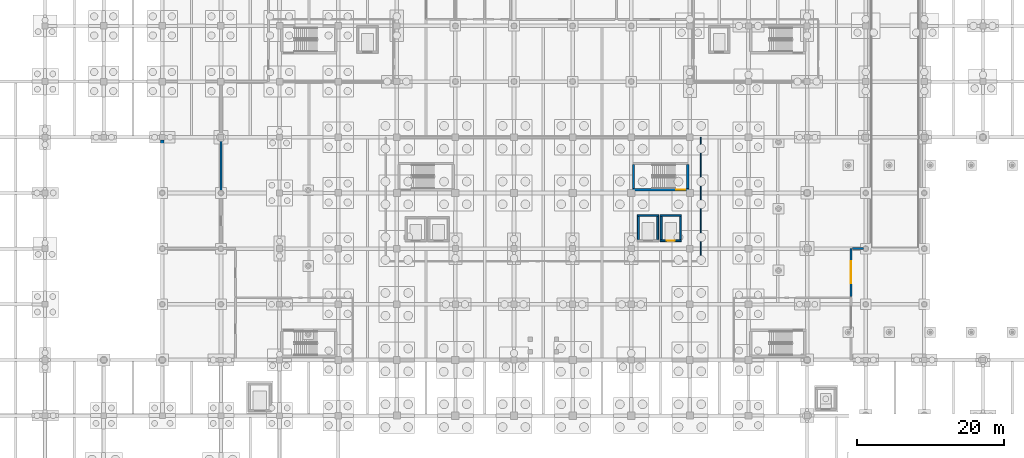
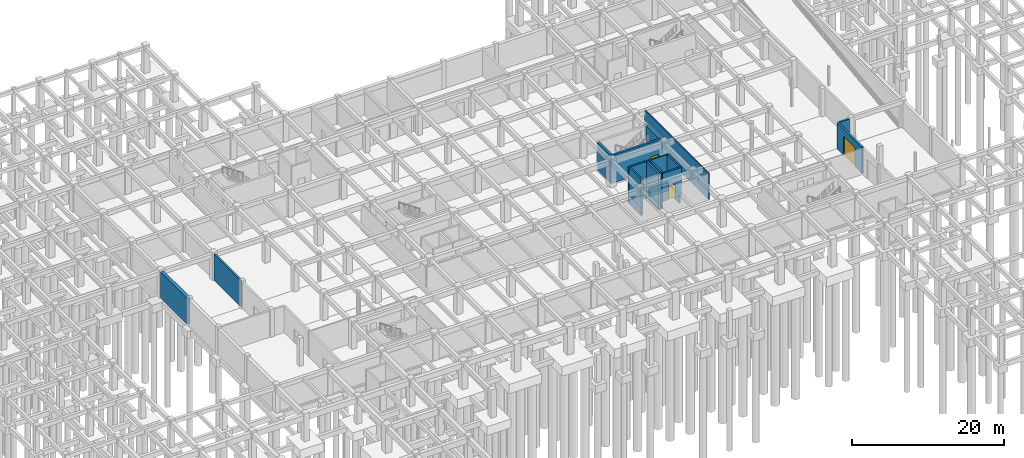
# One storey, part 36 of 49: 21 walls, 3 doors, 3 openings.
"""IFC4 building model written with IfcOpenShell, lengths in metres."""

import ifcopenshell
import ifcopenshell.guid

model = None  # the IFC model being written
_history = None  # IfcOwnerHistory: only IFC2X3 demands one
_inside = {}  # id of a spatial element -> (the spatial element, [elements in it])
_under = {}  # id of a project, library or spatial element -> (it, [spatial elements below it])
_declared = {}  # id of a project -> (the project, [libraries it declares])
_typed = {}  # id of a type object -> (the type object, [elements of that type])
_made_of = {}  # id of a material, layer set ... -> (it, [elements and type objects made of it])


def new_model(schema):
    """Start an empty IFC model of exactly this schema.

    Asked for "IFC4X3", IfcOpenShell would pick the latest addendum, in which some entities
    have other attributes; the version numbers below select the first issue.
    IFC2X3 requires an IfcOwnerHistory on every rooted entity: one is made here for all.
    """
    global model, _history
    if schema == "IFC4X3":
        model = ifcopenshell.file(schema_version=(4, 3, 0, 0))
    else:
        model = ifcopenshell.file(schema=schema)
    _inside.clear()
    _under.clear()
    _declared.clear()
    _typed.clear()
    _made_of.clear()
    _history = None
    if model.schema == "IFC2X3":
        org = make("IfcOrganization", Name="unknown")
        user = make(
            "IfcPersonAndOrganization",
            ThePerson=make("IfcPerson", FamilyName="unknown"),
            TheOrganization=org,
        )
        app = make(
            "IfcApplication",
            ApplicationDeveloper=org,
            Version="unknown",
            ApplicationFullName="unknown",
            ApplicationIdentifier="unknown",
        )
        _history = make(
            "IfcOwnerHistory",
            OwningUser=user,
            OwningApplication=app,
            ChangeAction="ADDED",
            CreationDate=0,
        )
    return model


def make(cls, **values):
    """One entity of the class cls with the attributes given. An attribute that is None is left unset."""
    return model.create_entity(
        cls, **{name: value for name, value in values.items() if value is not None}
    )


def rooted(cls, **values):
    """An entity with a GlobalId (a new one), such as an element, a storey or a relation."""
    return make(cls, GlobalId=ifcopenshell.guid.new(), OwnerHistory=_history, **values)


def si_unit(unit_type, name, prefix=None):
    """IfcSIUnit, for example si_unit("LENGTHUNIT", "METRE", prefix="MILLI")."""
    return make("IfcSIUnit", UnitType=unit_type, Prefix=prefix, Name=name)


def assignment(units):
    """IfcUnitAssignment: the units of a project."""
    return None if units is None else make("IfcUnitAssignment", Units=units)


def point(xyz):
    """IfcCartesianPoint."""
    return None if xyz is None else make("IfcCartesianPoint", Coordinates=xyz)


def direction(xyz):
    """IfcDirection."""
    return None if xyz is None else make("IfcDirection", DirectionRatios=xyz)


def frame(location, z_axis=None, x_axis=None):
    """IfcAxis2Placement3D, a coordinate frame: its origin and axes. An axis left out is left unset."""
    return make(
        "IfcAxis2Placement3D",
        Location=point(location),
        Axis=direction(z_axis),
        RefDirection=direction(x_axis),
    )


def frame_2d(location, x_axis=None):
    """IfcAxis2Placement2D, a coordinate frame in the plane: its origin and x axis."""
    return make(
        "IfcAxis2Placement2D", Location=point(location), RefDirection=direction(x_axis)
    )


def origin():
    """The frame at (0, 0, 0) with its axes left unset."""
    return frame((0.0, 0.0, 0.0))


def place(relative_to, where):
    """IfcLocalPlacement: puts the frame where relative to a parent placement (None: the world)."""
    return make(
        "IfcLocalPlacement", PlacementRelTo=relative_to, RelativePlacement=where
    )


def context(
    kind, dimensions, precision=None, world=None, true_north=None, identifier=None
):
    """IfcGeometricRepresentationContext, for example the 3D "Model" context."""
    return make(
        "IfcGeometricRepresentationContext",
        ContextIdentifier=identifier,
        ContextType=kind,
        CoordinateSpaceDimension=dimensions,
        Precision=precision,
        WorldCoordinateSystem=world,
        TrueNorth=true_north,
    )


def subcontext(parent, identifier, kind, view, scale=None):
    """IfcGeometricRepresentationSubContext, for example "Body" below "Model"."""
    return make(
        "IfcGeometricRepresentationSubContext",
        ContextIdentifier=identifier,
        ContextType=kind,
        ParentContext=parent,
        TargetScale=scale,
        TargetView=view,
    )


def project(units=None, contexts=None):
    """IfcProject with its units and contexts."""
    return rooted(
        "IfcProject",
        Name="project",
        RepresentationContexts=contexts,
        UnitsInContext=assignment(units),
    )


def spatial(cls, under=None, at=None, **own):
    """A site, building, storey or space (cls), placed at a placement, below another one or the project."""
    s = rooted(cls, ObjectPlacement=at, **own)
    if under is not None:
        _under.setdefault(under.id(), (under, []))[1].append(s)
    return s


def profile(cls, at=None, kind="AREA", **sizes):
    """A parametric profile (cls). Its sizes go by their IFC names, for example OverallWidth=200.0."""
    return make(cls, ProfileType=kind, Position=at, **sizes)


def rectangle(**sizes):
    """IfcRectangleProfileDef."""
    return profile("IfcRectangleProfileDef", **sizes)


def extrude(swept, where, along, depth):
    """IfcExtrudedAreaSolid: the profile swept, set in the frame where, extruded along a direction by depth."""
    return make(
        "IfcExtrudedAreaSolid",
        SweptArea=swept,
        Position=where,
        ExtrudedDirection=direction(along),
        Depth=depth,
    )


def shape(context_of_items, identifier, shape_type, items):
    """IfcShapeRepresentation: the items that make up one representation, for example the "Body"."""
    return make(
        "IfcShapeRepresentation",
        ContextOfItems=context_of_items,
        RepresentationIdentifier=identifier,
        RepresentationType=shape_type,
        Items=items,
    )


def material(Name=None, Category=None):
    """IfcMaterial."""
    return make("IfcMaterial", Name=Name, Category=Category)


def layer(
    of_material, thickness, ventilated=None, Name=None, Category=None, Priority=None
):
    """IfcMaterialLayer: one layer of a wall or slab, of a material (None: an air gap)."""
    return make(
        "IfcMaterialLayer",
        Material=of_material,
        LayerThickness=thickness,
        IsVentilated=ventilated,
        Name=Name,
        Category=Category,
        Priority=Priority,
    )


def layer_set(layers, Name=None):
    """IfcMaterialLayerSet."""
    return make("IfcMaterialLayerSet", MaterialLayers=layers, LayerSetName=Name)


def made_of(thing, what):
    """Note that an element or type object is made of a material, layer set ...; save() writes the relation."""
    if what is not None:
        _made_of.setdefault(what.id(), (what, []))[1].append(thing)
    return thing


def type_object(cls, material=None, **own):
    """A type object (cls), such as IfcWallType, which elements share."""
    return made_of(rooted(cls, **own), material)


def element(
    cls,
    number,
    at=None,
    inside=None,
    cuts=None,
    type_object=None,
    material=None,
    context=None,
    identifier="Body",
    shape_type=None,
    held_by="IfcProductDefinitionShape",
    body=None,
    shapes=None,
    **own,
):
    """One element of the class cls, such as IfcWall. Its Tag is "e" and its number.

    at: its placement. inside: the storey or other place that contains it. cuts: it is an
    opening in that element (IfcRelVoidsElement). A single representation is given by context,
    identifier, shape_type and body (its items); several are given by shapes. held_by: the class
    of the entity that holds the representations. save() writes the other relations.
    """
    e = rooted(cls, Tag="e%d" % number, ObjectPlacement=at, **own)
    if body is not None:
        shapes = [shape(context, identifier, shape_type, body)]
    if shapes is not None:
        e.Representation = make(held_by, Representations=shapes)
    if inside is not None:
        _inside.setdefault(inside.id(), (inside, []))[1].append(e)
    if cuts is not None:
        rooted(
            "IfcRelVoidsElement", RelatingBuildingElement=cuts, RelatedOpeningElement=e
        )
    if type_object is not None:
        _typed.setdefault(type_object.id(), (type_object, []))[1].append(e)
    return made_of(e, material)


def fill(opening, filler):
    """IfcRelFillsElement: the door or window that sits in an opening."""
    return rooted(
        "IfcRelFillsElement",
        RelatingOpeningElement=opening,
        RelatedBuildingElement=filler,
    )


def aggregate(whole, parts):
    """IfcRelAggregates: a whole, such as a stair, and the parts it consists of."""
    return rooted("IfcRelAggregates", RelatingObject=whole, RelatedObjects=parts)


def save(model, path):
    """Write the relations noted so far, then the file.

    IfcRelAggregates (storeys below a building ...), IfcRelContainedInSpatialStructure (elements
    in a storey), IfcRelDefinesByType, IfcRelAssociatesMaterial and IfcRelDeclares: one each for
    every whole, place, type object, material and project.
    """
    for whole, parts in _under.values():
        aggregate(whole, parts)
    for where, things in _inside.values():
        rooted(
            "IfcRelContainedInSpatialStructure",
            RelatedElements=things,
            RelatingStructure=where,
        )
    for kind, things in _typed.values():
        rooted("IfcRelDefinesByType", RelatedObjects=things, RelatingType=kind)
    for what, things in _made_of.values():
        rooted("IfcRelAssociatesMaterial", RelatedObjects=things, RelatingMaterial=what)
    for by, libraries in _declared.values():
        rooted("IfcRelDeclares", RelatingContext=by, RelatedDefinitions=libraries)
    model.write(path)


model = new_model("IFC4")

# Units and contexts
model_context = context("Model", 3, precision=1e-05, world=origin(), true_north=direction((0.0, 1.0)))
body_context = subcontext(model_context, "Body", "Model", "MODEL_VIEW")
ifc_project = project(units=[si_unit("LENGTHUNIT", "METRE"), si_unit("AREAUNIT", "SQUARE_METRE"), si_unit("VOLUMEUNIT", "CUBIC_METRE"), si_unit("PLANEANGLEUNIT", "RADIAN"), si_unit("MASSUNIT", "GRAM", prefix="KILO")], contexts=[model_context])

# Site, building, storey
site_placement = place(None, origin())
site = spatial("IfcSite", under=ifc_project, at=site_placement, CompositionType="ELEMENT")
building_placement = place(site_placement, origin())
building = spatial("IfcBuilding", under=site, at=building_placement, Name="Zantavel Square City Hall", CompositionType="ELEMENT")
storey_placement = place(building_placement, frame((0.0, 0.0, -4.5)))
storey = spatial("IfcBuildingStorey", under=building, at=storey_placement, Name="B1", CompositionType="ELEMENT", Elevation=-4.5)

# Wall
ifc_material_1 = material(Name="Concrete C35/45", Category="concrete")
ifc_layer_1 = layer(ifc_material_1, 0.280029296875, Name="Concrete C35/45")
ifc_layer_set_1 = layer_set([ifc_layer_1], Name="Concrete C35/45")
wall_type_1 = type_object("IfcWallType", Name="Archive & Substation Vault Wall 280mm", PredefinedType="STANDARD", material=ifc_layer_set_1)
wall_1_placement = place(storey_placement, frame((40.0, 68.014892578125, 0.0), z_axis=(0.0, 0.0, 1.0), x_axis=(0.0, -1.0, 0.0)))
element("IfcWall", 1, at=wall_1_placement, inside=storey, type_object=wall_type_1, Name="B1 Interior Wall IW-B1-0014", PredefinedType="STANDARD", context=body_context, shape_type="SweptSolid", body=[
    extrude(rectangle(XDim=6.90478515625, YDim=0.280029296875, at=frame_2d((3.452392578125, 0.0))), origin(), (0.0, 0.0, 1.0), 4.199951171875),
])

# Wall, opening, door
wall_2_placement = place(storey_placement, frame((126.0, 46.68994140625, 0.0), z_axis=(0.0, 0.0, 1.0), x_axis=(0.0, 1.0, 0.0)))
wall_2 = element("IfcWall", 2, at=wall_2_placement, inside=storey, type_object=wall_type_1, Name="B1 Interior Wall IW-B1-0024", PredefinedType="STANDARD", context=body_context, shape_type="SweptSolid", body=[
    extrude(rectangle(XDim=6.510009765625, YDim=0.280029296875, at=frame_2d((3.2548828125, 0.0))), origin(), (0.0, 0.0, 1.0), 4.199951171875),
])
opening_1_placement = place(wall_2_placement, frame((1.7548828125, 0.0, 0.0)))
opening_1 = element("IfcOpeningElement", 3, at=opening_1_placement, cuts=wall_2, Name="Opening D-0012", PredefinedType="OPENING", context=body_context, shape_type="SweptSolid", body=[
    extrude(rectangle(XDim=3.0, YDim=3.10009765625, at=frame_2d((1.5, 1.550048828125))), frame((0.0, 0.14990234375, 0.0), z_axis=(0.0, -1.0, 0.0), x_axis=(1.0, 0.0, 0.0)), (0.0, 0.0, 1.0), 0.300048828125),
])
ifc_material_2 = material(Name="Steel ASTM A500 Grade B", Category="steel")
door_type_1 = type_object("IfcDoorType", Name="Plant Equipment Roller Gate 3000x3100", OperationType="NOTDEFINED", PredefinedType="GATE", material=ifc_material_2)
door_1_placement = place(opening_1_placement, origin())
door_1 = element("IfcDoor", 4, at=door_1_placement, inside=storey, type_object=door_type_1, Name="B1 Municipal Maintenance Workshop and Store Door", OperationType="ROLLINGUP", OverallHeight=3.10009765625, OverallWidth=3.0, PredefinedType="GATE", context=body_context, shape_type="SweptSolid", body=[
    extrude(rectangle(XDim=3.0, YDim=3.10009765625, at=frame_2d((1.5, 1.550048828125))), frame((0.0, 0.02490234375, 0.0), z_axis=(0.0, -1.0, 0.0), x_axis=(1.0, 0.0, 0.0)), (0.0, 0.0, 1.0), 0.050048828125),
])
fill(opening_1, door_1)

# Walls
wall_3_placement = place(storey_placement, frame((126.18994140625, 53.199951171875, 0.0), z_axis=(0.0, 0.0, 1.0), x_axis=(1.0, 0.0, 0.0)))
element("IfcWall", 5, at=wall_3_placement, inside=storey, type_object=wall_type_1, Name="B1 Interior Wall IW-B1-0025", PredefinedType="STANDARD", context=body_context, shape_type="SweptSolid", body=[
    extrude(rectangle(XDim=1.5, YDim=0.280029296875, at=frame_2d((0.75, 0.0))), origin(), (0.0, 0.0, 1.0), 4.199951171875),
])
ifc_material_3 = material(Name="Concrete C40/50", Category="concrete")
ifc_layer_2 = layer(ifc_material_3, 0.47998046875, Name="Concrete C40/50")
ifc_layer_set_2 = layer_set([ifc_layer_2], Name="Concrete C40/50")
wall_type_2 = type_object("IfcWallType", Name="Basement Retaining Wall RC 480mm C40/50", PredefinedType="SHEAR", material=ifc_layer_set_2)
wall_4_placement = place(storey_placement, frame((32.0, 61.10009765625, 0.0), z_axis=(0.0, 0.0, 1.0), x_axis=(0.0, 1.0, 0.0)))
element("IfcWall", 6, at=wall_4_placement, inside=storey, type_object=wall_type_2, Name="B1 Exterior Wall EW-B1-039", PredefinedType="SHEAR", context=body_context, shape_type="SweptSolid", body=[
    extrude(rectangle(XDim=6.9248046875, YDim=0.47998046875, at=frame_2d((3.46240234375, 0.0))), origin(), (0.0, 0.0, 1.0), 4.199951171875),
])

# Wall, opening, door
ifc_layer_3 = layer(ifc_material_3, 0.320068359375, Name="Concrete C40/50")
ifc_layer_set_3 = layer_set([ifc_layer_3], Name="Concrete C40/50")
wall_type_3 = type_object("IfcWallType", Name="Core Shear Wall RC 320mm C40/50", PredefinedType="SHEAR", material=ifc_layer_set_3)
wall_5_placement = place(storey_placement, frame((103.85009765625, 61.239990234375, 0.0), z_axis=(0.0, 0.0, 1.0), x_axis=(-1.0, 0.0, 0.0)))
wall_5 = element("IfcWall", 7, at=wall_5_placement, inside=storey, type_object=wall_type_3, Name="B1 Exit Stair 6 Central East Core Shear Wall South", PredefinedType="SHEAR", context=body_context, shape_type="SweptSolid", body=[
    extrude(rectangle(XDim=7.7001953125, YDim=0.320068359375, at=frame_2d((3.85009765625, 0.0))), origin(), (0.0, 0.0, 1.0), 4.5),
])
opening_2_placement = place(wall_5_placement, frame((0.5, 0.0, 0.0)))
opening_2 = element("IfcOpeningElement", 8, at=opening_2_placement, cuts=wall_5, Name="Opening SD-026", PredefinedType="OPENING", context=body_context, shape_type="SweptSolid", body=[
    extrude(rectangle(XDim=1.199951171875, YDim=2.199951171875, at=frame_2d((0.60009765625, 1.10009765625))), frame((0.0, 0.169921875, 0.0), z_axis=(0.0, -1.0, 0.0), x_axis=(1.0, 0.0, 0.0)), (0.0, 0.0, 1.0), 0.340087890625),
])
door_type_2 = type_object("IfcDoorType", Name="Enclosed Exit Stairwell Fire Door 1200x2200 FD90S", OperationType="NOTDEFINED", PredefinedType="DOOR", material=ifc_material_2)
door_2_placement = place(opening_2_placement, origin())
door_2 = element("IfcDoor", 9, at=door_2_placement, inside=storey, type_object=door_type_2, Name="B1 Exit Stair 6 Central East Core Fire Door", OperationType="SINGLE_SWING_RIGHT", OverallHeight=2.199951171875, OverallWidth=1.199951171875, PredefinedType="DOOR", context=body_context, shape_type="SweptSolid", body=[
    extrude(rectangle(XDim=1.199951171875, YDim=2.199951171875, at=frame_2d((0.60009765625, 1.10009765625))), frame((0.0, 0.02490234375, 0.0), z_axis=(0.0, -1.0, 0.0), x_axis=(1.0, 0.0, 0.0)), (0.0, 0.0, 1.0), 0.050048828125),
])
fill(opening_2, door_2)

# Walls
for number, where, z_axis, x_axis, name in (
    (10, (96.31005859375, 61.39990234375, 0.0), (0.0, 0.0, 1.0), (0.0, 1.0, 0.0), "B1 Exit Stair 6 Central East Core Shear Wall West"),
    (11, (103.68994140625, 64.669921875, 0.0), (0.0, 0.0, 1.0), (0.0, -1.0, 0.0), "B1 Exit Stair 6 Central East Core Shear Wall East"),
):
    element("IfcWall", number, at=place(storey_placement, frame(where, z_axis=z_axis, x_axis=x_axis)), inside=storey, type_object=wall_type_3, Name=name, PredefinedType="SHEAR", context=body_context, shape_type="SweptSolid", body=[
        extrude(rectangle(XDim=3.27001953125, YDim=0.320068359375, at=frame_2d((1.635009765625, 0.0))), origin(), (0.0, 0.0, 1.0), 4.5),
    ])
ifc_material_4 = material(Name="Gypsum acoustic stud assembly", Category="masonry")
ifc_layer_4 = layer(ifc_material_4, 0.14990234375, Name="Gypsum acoustic stud assembly")
ifc_layer_set_4 = layer_set([ifc_layer_4], Name="Gypsum acoustic stud assembly")
wall_type_4 = type_object("IfcWallType", Name="Department Office Partition 150mm", PredefinedType="PARTITIONING", material=ifc_layer_set_4)
wall_6_placement = place(storey_placement, frame((105.5, 68.39990234375, 0.0), z_axis=(0.0, 0.0, 1.0), x_axis=(0.0, -1.0, 0.0)))
element("IfcWall", 12, at=wall_6_placement, inside=storey, type_object=wall_type_4, Name="B1 Interior Wall IW-B1-0036", PredefinedType="PARTITIONING", context=body_context, shape_type="SweptSolid", body=[
    extrude(rectangle(XDim=16.89990234375, YDim=0.14990234375, at=frame_2d((8.449951171875, 0.0))), origin(), (0.0, 0.0, 1.0), 4.199951171875),
])
ifc_layer_5 = layer(ifc_material_3, 0.25, Name="Concrete C40/50")
ifc_layer_set_5 = layer_set([ifc_layer_5], Name="Concrete C40/50")
wall_type_5 = type_object("IfcWallType", Name="Lift Shaft Wall RC 250mm C40/50", PredefinedType="SHEAR", material=ifc_layer_set_5)
wall_7_placement = place(storey_placement, frame((96.97509765625, 54.39990234375, -1.35009765625), z_axis=(0.0, 0.0, 1.0), x_axis=(0.0, 1.0, 0.0)))
element("IfcWall", 13, at=wall_7_placement, inside=storey, type_object=wall_type_5, Name="Lift LF03 Pit Wall W", PredefinedType="SHEAR", context=body_context, shape_type="SweptSolid", body=[
    extrude(rectangle(XDim=3.2001953125, YDim=0.25, at=frame_2d((1.60009765625, 0.0))), origin(), (0.0, 0.0, 1.0), 1.35009765625),
])
wall_8_placement = place(storey_placement, frame((96.85009765625, 57.72509765625, -1.35009765625), z_axis=(0.0, 0.0, 1.0), x_axis=(1.0, 0.0, 0.0)))
element("IfcWall", 14, at=wall_8_placement, inside=storey, type_object=wall_type_5, Name="Lift LF03 Pit Wall N", PredefinedType="SHEAR", context=body_context, shape_type="SweptSolid", body=[
    extrude(rectangle(XDim=2.89990234375, YDim=0.25, at=frame_2d((1.449951171875, 0.0))), origin(), (0.0, 0.0, 1.0), 1.35009765625),
])
wall_9_placement = place(storey_placement, frame((99.625, 57.60009765625, -1.35009765625), z_axis=(0.0, 0.0, 1.0), x_axis=(0.0, -1.0, 0.0)))
element("IfcWall", 15, at=wall_9_placement, inside=storey, type_object=wall_type_5, Name="Lift LF03 Pit Wall E", PredefinedType="SHEAR", context=body_context, shape_type="SweptSolid", body=[
    extrude(rectangle(XDim=3.2001953125, YDim=0.25, at=frame_2d((1.60009765625, 0.0))), origin(), (0.0, 0.0, 1.0), 1.35009765625),
])
wall_10_placement = place(storey_placement, frame((96.97509765625, 54.39990234375, 0.0), z_axis=(0.0, 0.0, 1.0), x_axis=(0.0, 1.0, 0.0)))
element("IfcWall", 16, at=wall_10_placement, inside=storey, type_object=wall_type_5, Name="B1 Lift LF03 Shaft Wall West", PredefinedType="SHEAR", context=body_context, shape_type="SweptSolid", body=[
    extrude(rectangle(XDim=3.2001953125, YDim=0.25, at=frame_2d((1.60009765625, 0.0))), origin(), (0.0, 0.0, 1.0), 4.5),
])
wall_11_placement = place(storey_placement, frame((96.85009765625, 57.72509765625, 0.0), z_axis=(0.0, 0.0, 1.0), x_axis=(1.0, 0.0, 0.0)))
element("IfcWall", 17, at=wall_11_placement, inside=storey, type_object=wall_type_5, Name="B1 Lift LF03 Shaft Wall North", PredefinedType="SHEAR", context=body_context, shape_type="SweptSolid", body=[
    extrude(rectangle(XDim=2.89990234375, YDim=0.25, at=frame_2d((1.449951171875, 0.0))), origin(), (0.0, 0.0, 1.0), 4.5),
])
wall_12_placement = place(storey_placement, frame((99.625, 57.60009765625, 0.0), z_axis=(0.0, 0.0, 1.0), x_axis=(0.0, -1.0, 0.0)))
element("IfcWall", 18, at=wall_12_placement, inside=storey, type_object=wall_type_5, Name="B1 Lift LF03 Shaft Wall East", PredefinedType="SHEAR", context=body_context, shape_type="SweptSolid", body=[
    extrude(rectangle(XDim=3.2001953125, YDim=0.25, at=frame_2d((1.60009765625, 0.0))), origin(), (0.0, 0.0, 1.0), 4.5),
])
wall_13_placement = place(storey_placement, frame((100.074951171875, 54.39990234375, -1.35009765625), z_axis=(0.0, 0.0, 1.0), x_axis=(0.0, 1.0, 0.0)))
element("IfcWall", 19, at=wall_13_placement, inside=storey, type_object=wall_type_5, Name="Lift LF04 Pit Wall W", PredefinedType="SHEAR", context=body_context, shape_type="SweptSolid", body=[
    extrude(rectangle(XDim=3.2001953125, YDim=0.25, at=frame_2d((1.60009765625, 0.0))), origin(), (0.0, 0.0, 1.0), 1.35009765625),
])
wall_14_placement = place(storey_placement, frame((99.949951171875, 57.72509765625, -1.35009765625), z_axis=(0.0, 0.0, 1.0), x_axis=(1.0, 0.0, 0.0)))
element("IfcWall", 20, at=wall_14_placement, inside=storey, type_object=wall_type_5, Name="Lift LF04 Pit Wall N", PredefinedType="SHEAR", context=body_context, shape_type="SweptSolid", body=[
    extrude(rectangle(XDim=2.900146484375, YDim=0.25, at=frame_2d((1.4501953125, 0.0))), origin(), (0.0, 0.0, 1.0), 1.35009765625),
])
wall_15_placement = place(storey_placement, frame((102.72509765625, 57.60009765625, -1.35009765625), z_axis=(0.0, 0.0, 1.0), x_axis=(0.0, -1.0, 0.0)))
element("IfcWall", 21, at=wall_15_placement, inside=storey, type_object=wall_type_5, Name="Lift LF04 Pit Wall E", PredefinedType="SHEAR", context=body_context, shape_type="SweptSolid", body=[
    extrude(rectangle(XDim=3.2001953125, YDim=0.25, at=frame_2d((1.60009765625, 0.0))), origin(), (0.0, 0.0, 1.0), 1.35009765625),
])

# Wall, opening, door
wall_16_placement = place(storey_placement, frame((102.85009765625, 54.27490234375, 0.0), z_axis=(0.0, 0.0, 1.0), x_axis=(-1.0, 0.0, 0.0)))
wall_16 = element("IfcWall", 22, at=wall_16_placement, inside=storey, type_object=wall_type_5, Name="B1 Lift LF04 Shaft Wall South", PredefinedType="SHEAR", context=body_context, shape_type="SweptSolid", body=[
    extrude(rectangle(XDim=2.900146484375, YDim=0.25, at=frame_2d((1.4501953125, 0.0))), origin(), (0.0, 0.0, 1.0), 4.5),
])
opening_3_placement = place(wall_16_placement, frame((0.89990234375, 0.0, 0.0)))
opening_3 = element("IfcOpeningElement", 23, at=opening_3_placement, cuts=wall_16, Name="Opening LD-LF04-B1", PredefinedType="OPENING", context=body_context, shape_type="SweptSolid", body=[
    extrude(rectangle(XDim=1.10009765625, YDim=2.14990234375, at=frame_2d((0.550048828125, 1.074951171875))), frame((0.0, 0.135009765625, 0.0), z_axis=(0.0, -1.0, 0.0), x_axis=(1.0, 0.0, 0.0)), (0.0, 0.0, 1.0), 0.27001953125),
])
ifc_material_5 = material(Name="Stainless steel 316", Category="steel")
door_type_3 = type_object("IfcDoorType", Name="Lift Landing Sliding Door 1100x2150 FD90S", OperationType="NOTDEFINED", PredefinedType="DOOR", material=ifc_material_5)
door_3_placement = place(opening_3_placement, origin())
door_3 = element("IfcDoor", 24, at=door_3_placement, inside=storey, type_object=door_type_3, Name="B1 Lift LF04 Sliding Landing Door", OperationType="DOUBLE_DOOR_SLIDING", OverallHeight=2.14990234375, OverallWidth=1.10009765625, PredefinedType="DOOR", context=body_context, shape_type="SweptSolid", body=[
    extrude(rectangle(XDim=1.10009765625, YDim=2.14990234375, at=frame_2d((0.550048828125, 1.074951171875))), frame((0.0, 0.02490234375, 0.0), z_axis=(0.0, -1.0, 0.0), x_axis=(1.0, 0.0, 0.0)), (0.0, 0.0, 1.0), 0.050048828125),
])
fill(opening_3, door_3)

# Walls
wall_17_placement = place(storey_placement, frame((100.074951171875, 54.39990234375, 0.0), z_axis=(0.0, 0.0, 1.0), x_axis=(0.0, 1.0, 0.0)))
element("IfcWall", 25, at=wall_17_placement, inside=storey, type_object=wall_type_5, Name="B1 Lift LF04 Shaft Wall West", PredefinedType="SHEAR", context=body_context, shape_type="SweptSolid", body=[
    extrude(rectangle(XDim=3.2001953125, YDim=0.25, at=frame_2d((1.60009765625, 0.0))), origin(), (0.0, 0.0, 1.0), 4.5),
])
wall_18_placement = place(storey_placement, frame((99.949951171875, 57.72509765625, 0.0), z_axis=(0.0, 0.0, 1.0), x_axis=(1.0, 0.0, 0.0)))
element("IfcWall", 26, at=wall_18_placement, inside=storey, type_object=wall_type_5, Name="B1 Lift LF04 Shaft Wall North", PredefinedType="SHEAR", context=body_context, shape_type="SweptSolid", body=[
    extrude(rectangle(XDim=2.900146484375, YDim=0.25, at=frame_2d((1.4501953125, 0.0))), origin(), (0.0, 0.0, 1.0), 4.5),
])
wall_19_placement = place(storey_placement, frame((102.72509765625, 57.60009765625, 0.0), z_axis=(0.0, 0.0, 1.0), x_axis=(0.0, -1.0, 0.0)))
element("IfcWall", 27, at=wall_19_placement, inside=storey, type_object=wall_type_5, Name="B1 Lift LF04 Shaft Wall East", PredefinedType="SHEAR", context=body_context, shape_type="SweptSolid", body=[
    extrude(rectangle(XDim=3.2001953125, YDim=0.25, at=frame_2d((1.60009765625, 0.0))), origin(), (0.0, 0.0, 1.0), 4.5),
])

save(model, "model.ifc")
